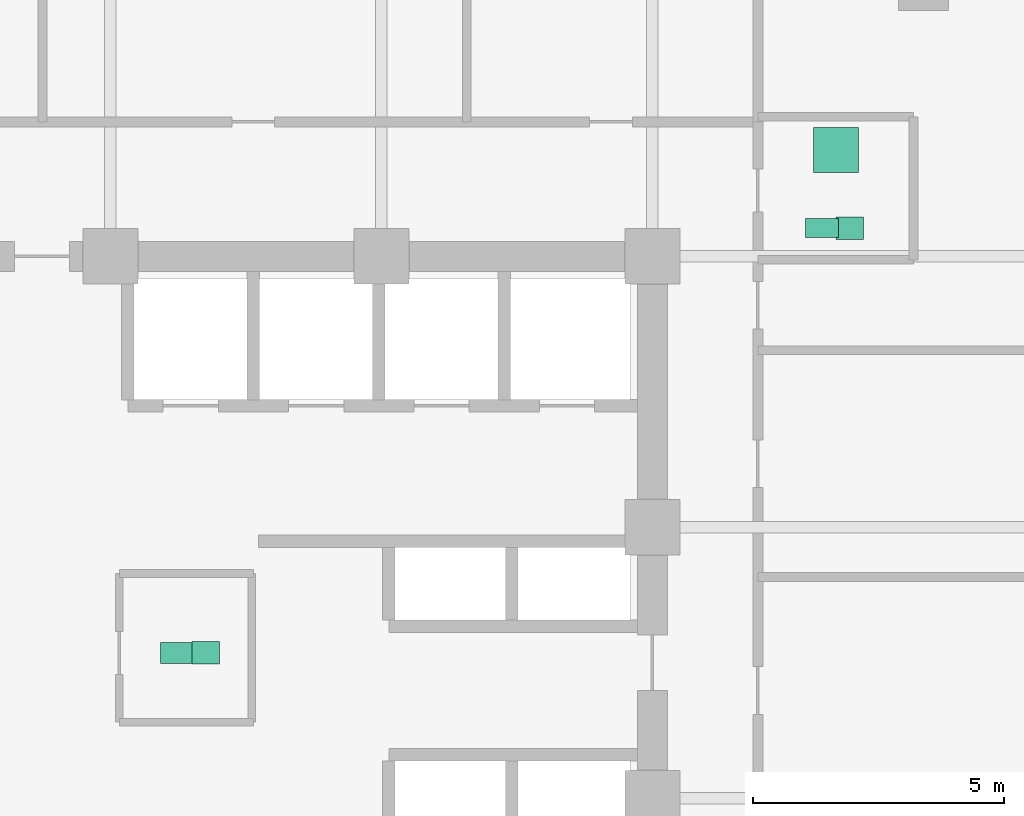
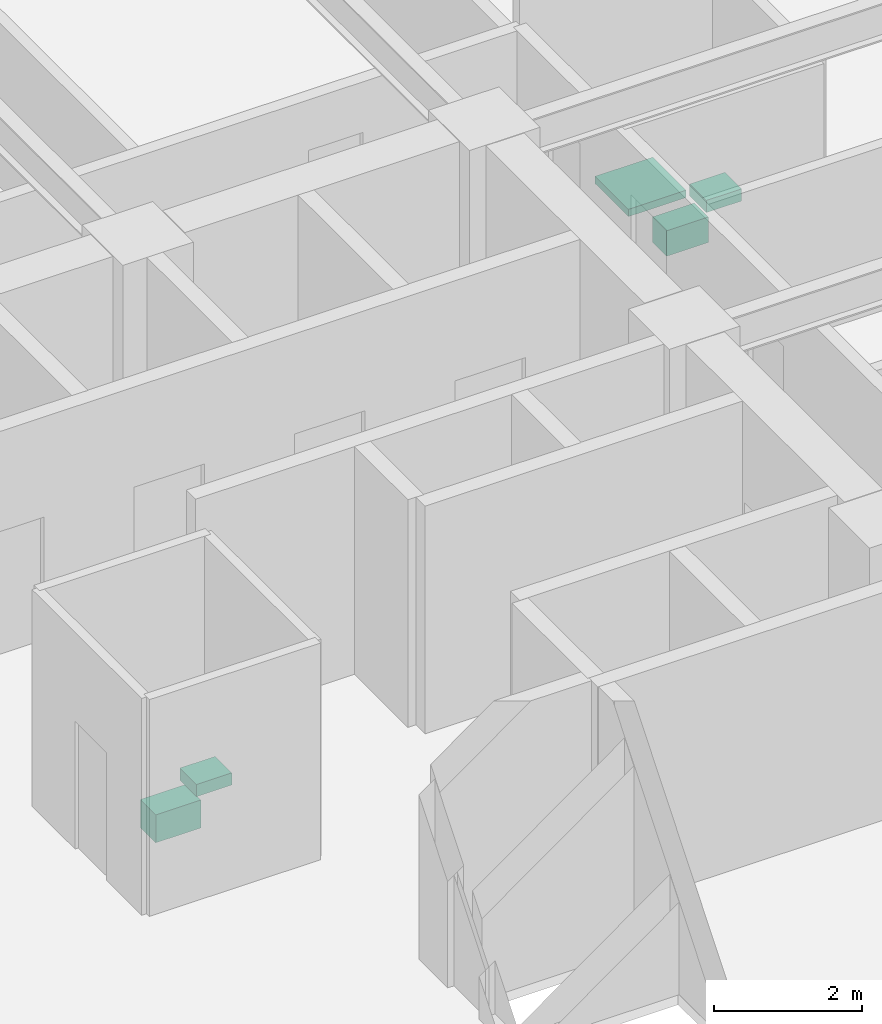
# One storey, part 26 of 26: 5 sanitary terminals.
"""IFC4 building model written with IfcOpenShell, lengths in metres."""

from ifc_helpers import new_model, si_unit, direction, frame, origin, origin_2d, place, context, subcontext, project, spatial, rectangle, extrude, material, type_object, element, save


model = new_model("IFC4")

# Units and contexts
model_context = context("Model", 3, precision=1e-05, world=origin(), true_north=direction((0.0, 1.0)))
body_context = subcontext(model_context, "Body", "Model", "MODEL_VIEW")
ifc_project = project(units=[si_unit("LENGTHUNIT", "METRE"), si_unit("AREAUNIT", "SQUARE_METRE"), si_unit("VOLUMEUNIT", "CUBIC_METRE"), si_unit("PLANEANGLEUNIT", "RADIAN"), si_unit("MASSUNIT", "GRAM", prefix="KILO")], contexts=[model_context])

# Site, building, storey
site_placement = place(None, origin())
site = spatial("IfcSite", under=ifc_project, at=site_placement, CompositionType="ELEMENT")
building_placement = place(site_placement, origin())
building = spatial("IfcBuilding", under=site, at=building_placement, Name="Surkhivell Harbour Commons", CompositionType="ELEMENT")
storey_placement = place(building_placement, frame((0.0, 0.0, 143.25)))
storey = spatial("IfcBuildingStorey", under=building, at=storey_placement, Name="L37", CompositionType="ELEMENT", Elevation=143.25)

# Sanitary terminals
ifc_material_1 = material(Name="Vitreous china washbasin", Category="other")
sanitary_terminal_type_1 = type_object("IfcSanitaryTerminalType", Name="SAN-BSN", PredefinedType="WASHHANDBASIN", material=ifc_material_1)
for number, where, z_axis, x_axis, name in (
    (1, (1.89990234375, 2.89990234375, 0.72021484375), (0.0, 0.0, 1.0), (1.0, 0.0, 0.0), "L37 Core Accessible WC Washbasin"),
    (2, (14.72998046875, 11.360107421875, 0.72021484375), (0.0, 0.0, 1.0), (1.0, 0.0, 0.0), "L37 East Communal Bathroom WC Washbasin"),
):
    element("IfcSanitaryTerminal", number, at=place(storey_placement, frame(where, z_axis=z_axis, x_axis=x_axis)), inside=storey, type_object=sanitary_terminal_type_1, Name=name, PredefinedType="WASHHANDBASIN", context=body_context, shape_type="SweptSolid", body=[
        extrude(rectangle(XDim=0.550048828125, YDim=0.449951171875, at=origin_2d()), origin(), (0.0, 0.0, 1.0), 0.199951171875),
    ])
ifc_material_2 = material(Name="Glazed porcelain shower tray", Category="other")
sanitary_terminal_type_2 = type_object("IfcSanitaryTerminalType", Name="SAN-SHW", PredefinedType="SHOWER", material=ifc_material_2)
sanitary_terminal_1_placement = place(storey_placement, frame((14.4599609375, 12.919921875, 0.0), z_axis=(0.0, 0.0, 1.0), x_axis=(1.0, 0.0, 0.0)))
element("IfcSanitaryTerminal", 3, at=sanitary_terminal_1_placement, inside=storey, type_object=sanitary_terminal_type_2, Name="L37 East Communal Shower Tray", PredefinedType="SHOWER", context=body_context, shape_type="SweptSolid", body=[
    extrude(rectangle(XDim=0.89990234375, YDim=0.89990234375, at=origin_2d()), origin(), (0.0, 0.0, 1.0), 0.1201171875),
])
ifc_material_3 = material(Name="Vitreous china sanitaryware", Category="other")
sanitary_terminal_type_3 = type_object("IfcSanitaryTerminalType", Name="SAN-WC-ACC", PredefinedType="TOILETPAN", material=ifc_material_3)
sanitary_terminal_2_placement = place(storey_placement, frame((1.35009765625, 2.89990234375, 0.169921875), z_axis=(0.0, 0.0, 1.0), x_axis=(1.0, 0.0, 0.0)))
element("IfcSanitaryTerminal", 4, at=sanitary_terminal_2_placement, inside=storey, type_object=sanitary_terminal_type_3, Name="L37 Core Accessible WC", PredefinedType="TOILETPAN", context=body_context, shape_type="SweptSolid", body=[
    extrude(rectangle(XDim=0.699951171875, YDim=0.419921875, at=origin_2d()), origin(), (0.0, 0.0, 1.0), 0.4599609375),
])
sanitary_terminal_type_4 = type_object("IfcSanitaryTerminalType", Name="SAN-WC-STD", PredefinedType="TOILETPAN", material=ifc_material_3)
sanitary_terminal_3_placement = place(storey_placement, frame((14.179931640625, 11.360107421875, 0.18994140625), z_axis=(0.0, 0.0, 1.0), x_axis=(1.0, 0.0, 0.0)))
element("IfcSanitaryTerminal", 5, at=sanitary_terminal_3_placement, inside=storey, type_object=sanitary_terminal_type_4, Name="L37 East Communal Bathroom WC", PredefinedType="TOILETPAN", context=body_context, shape_type="SweptSolid", body=[
    extrude(rectangle(XDim=0.64990234375, YDim=0.3798828125, at=origin_2d()), origin(), (0.0, 0.0, 1.0), 0.419921875),
])

save(model, "model.ifc")
